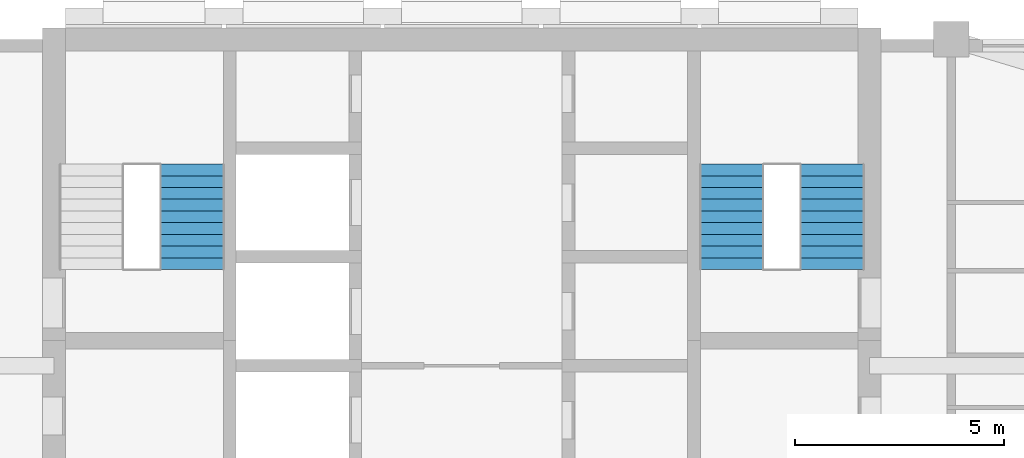
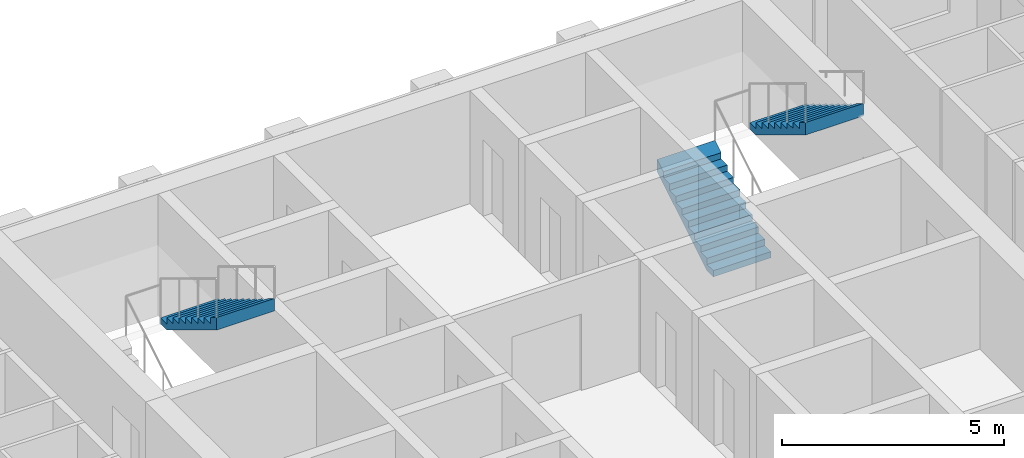
# One storey, part 12 of 14: 3 stair flights, 2 elements without a shape of their own.
"""IFC4 building model written with IfcOpenShell, lengths in metres."""

from ifc_helpers import new_model, si_unit, direction, frame, origin, place, context, subcontext, project, spatial, triangles, material, type_object, element, aggregate, save


model = new_model("IFC4")

# Units and contexts
model_context = context("Model", 3, precision=1e-05, world=origin(), true_north=direction((0.0, 1.0)))
body_context = subcontext(model_context, "Body", "Model", "MODEL_VIEW")
ifc_project = project(units=[si_unit("LENGTHUNIT", "METRE"), si_unit("AREAUNIT", "SQUARE_METRE"), si_unit("VOLUMEUNIT", "CUBIC_METRE"), si_unit("PLANEANGLEUNIT", "RADIAN"), si_unit("MASSUNIT", "GRAM", prefix="KILO")], contexts=[model_context])

# Site, building, storey
site_placement = place(None, origin())
site = spatial("IfcSite", under=ifc_project, at=site_placement, CompositionType="ELEMENT")
building_placement = place(site_placement, origin())
building = spatial("IfcBuilding", under=site, at=building_placement, Name="Ludao Terraces", CompositionType="ELEMENT")
storey_placement = place(building_placement, frame((0.0, 0.0, 113.5)))
storey = spatial("IfcBuildingStorey", under=building, at=storey_placement, Name="L31", CompositionType="ELEMENT", Elevation=113.5)

# Stair, stair flight
ifc_material = material(Name="Concrete C40", Category="concrete")
stair_type = type_object("IfcStairType", Name="INT Stair", PredefinedType="HALF_TURN_STAIR", material=ifc_material)
stair_1_placement = place(storey_placement, origin())
stair_1 = element("IfcStair", 1, at=stair_1_placement, inside=storey, type_object=stair_type, Name="EXIT STAIR 1", PredefinedType="HALF_TURN_STAIR")
stair_flight_type = type_object("IfcStairFlightType", Name="INT Stair flight", PredefinedType="STRAIGHT", material=ifc_material)
stair_flight_1_placement = place(storey_placement, frame((78.550048828125, 81.52001953125, 1.699951171875), z_axis=(0.0, 0.0, 1.0), x_axis=(0.0, -1.0, 0.0)))
stair_flight_1 = element("IfcStairFlight", 2, at=stair_flight_1_placement, type_object=stair_flight_type, Name="ST1 flight 2", NumberOfRisers=10, NumberOfTreads=9, PredefinedType="STRAIGHT", RiserHeight=0.17, TreadLength=0.28, context=body_context, shape_type="Tessellation", body=[
    triangles([(0.0, -0.75, 0.0), (0.0, -0.5, 0.0), (0.0, -0.25, 0.0), (0.0, 0.0, 0.0), (0.0, 0.25, 0.0), (0.0, 0.5, 0.0), (0.0, 0.75, 0.0), (0.0, -0.75, 0.169921875), (0.0, -0.5, 0.169921875), (0.0, -0.25, 0.169921875), (0.0, 0.0, 0.169921875), (0.0, 0.25, 0.169921875), (0.0, 0.5, 0.169921875), (0.0, 0.75, 0.169921875), (0.280029296875, -0.75, 0.169921875), (0.280029296875, -0.5, 0.169921875), (0.280029296875, -0.25, 0.169921875), (0.280029296875, 0.0, 0.169921875), (0.280029296875, 0.25, 0.169921875), (0.280029296875, 0.5, 0.169921875), (0.280029296875, 0.75, 0.169921875), (0.280029296875, -0.75, 0.340087890625), (0.280029296875, -0.5, 0.340087890625), (0.280029296875, -0.25, 0.340087890625), (0.280029296875, 0.0, 0.340087890625), (0.280029296875, 0.25, 0.340087890625), (0.280029296875, 0.5, 0.340087890625), (0.280029296875, 0.75, 0.340087890625), (0.56005859375, -0.75, 0.340087890625), (0.56005859375, -0.5, 0.340087890625), (0.56005859375, -0.25, 0.340087890625), (0.56005859375, 0.0, 0.340087890625), (0.56005859375, 0.25, 0.340087890625), (0.56005859375, 0.5, 0.340087890625), (0.56005859375, 0.75, 0.340087890625), (0.56005859375, -0.75, 0.510009765625), (0.56005859375, -0.5, 0.510009765625), (0.56005859375, -0.25, 0.510009765625), (0.56005859375, 0.0, 0.510009765625), (0.56005859375, 0.25, 0.510009765625), (0.56005859375, 0.5, 0.510009765625), (0.56005859375, 0.75, 0.510009765625), (0.840087890625, -0.75, 0.510009765625), (0.840087890625, -0.5, 0.510009765625), (0.840087890625, -0.25, 0.510009765625), (0.840087890625, 0.0, 0.510009765625), (0.840087890625, 0.25, 0.510009765625), (0.840087890625, 0.5, 0.510009765625), (0.840087890625, 0.75, 0.510009765625), (0.840087890625, -0.75, 0.679931640625), (0.840087890625, -0.5, 0.679931640625), (0.840087890625, -0.25, 0.679931640625), (0.840087890625, 0.0, 0.679931640625), (0.840087890625, 0.25, 0.679931640625), (0.840087890625, 0.5, 0.679931640625), (0.840087890625, 0.75, 0.679931640625), (1.1201171875, -0.75, 0.679931640625), (1.1201171875, -0.5, 0.679931640625), (1.1201171875, -0.25, 0.679931640625), (1.1201171875, 0.0, 0.679931640625), (1.1201171875, 0.25, 0.679931640625), (1.1201171875, 0.5, 0.679931640625), (1.1201171875, 0.75, 0.679931640625), (1.1201171875, -0.75, 0.85009765625), (1.1201171875, -0.5, 0.85009765625), (1.1201171875, -0.25, 0.85009765625), (1.1201171875, 0.0, 0.85009765625), (1.1201171875, 0.25, 0.85009765625), (1.1201171875, 0.5, 0.85009765625), (1.1201171875, 0.75, 0.85009765625), (1.39990234375, -0.75, 0.85009765625), (1.39990234375, -0.5, 0.85009765625), (1.39990234375, -0.25, 0.85009765625), (1.39990234375, 0.0, 0.85009765625), (1.39990234375, 0.25, 0.85009765625), (1.39990234375, 0.5, 0.85009765625), (1.39990234375, 0.75, 0.85009765625), (1.39990234375, -0.75, 1.02001953125), (1.39990234375, -0.5, 1.02001953125), (1.39990234375, -0.25, 1.02001953125), (1.39990234375, 0.0, 1.02001953125), (1.39990234375, 0.25, 1.02001953125), (1.39990234375, 0.5, 1.02001953125), (1.39990234375, 0.75, 1.02001953125), (1.679931640625, -0.75, 1.02001953125), (1.679931640625, -0.5, 1.02001953125), (1.679931640625, -0.25, 1.02001953125), (1.679931640625, 0.0, 1.02001953125), (1.679931640625, 0.25, 1.02001953125), (1.679931640625, 0.5, 1.02001953125), (1.679931640625, 0.75, 1.02001953125), (1.679931640625, -0.75, 1.18994140625), (1.679931640625, -0.5, 1.18994140625), (1.679931640625, -0.25, 1.18994140625), (1.679931640625, 0.0, 1.18994140625), (1.679931640625, 0.25, 1.18994140625), (1.679931640625, 0.5, 1.18994140625), (1.679931640625, 0.75, 1.18994140625), (1.9599609375, -0.75, 1.18994140625), (1.9599609375, -0.5, 1.18994140625), (1.9599609375, -0.25, 1.18994140625), (1.9599609375, 0.0, 1.18994140625), (1.9599609375, 0.25, 1.18994140625), (1.9599609375, 0.5, 1.18994140625), (1.9599609375, 0.75, 1.18994140625), (1.9599609375, -0.75, 1.360107421875), (1.9599609375, -0.5, 1.360107421875), (1.9599609375, -0.25, 1.360107421875), (1.9599609375, 0.0, 1.360107421875), (1.9599609375, 0.25, 1.360107421875), (1.9599609375, 0.5, 1.360107421875), (1.9599609375, 0.75, 1.360107421875), (2.239990234375, -0.75, 1.360107421875), (2.239990234375, -0.5, 1.360107421875), (2.239990234375, -0.25, 1.360107421875), (2.239990234375, 0.0, 1.360107421875), (2.239990234375, 0.25, 1.360107421875), (2.239990234375, 0.5, 1.360107421875), (2.239990234375, 0.75, 1.360107421875), (2.239990234375, -0.75, 1.530029296875), (2.239990234375, -0.5, 1.530029296875), (2.239990234375, -0.25, 1.530029296875), (2.239990234375, 0.0, 1.530029296875), (2.239990234375, 0.25, 1.530029296875), (2.239990234375, 0.5, 1.530029296875), (2.239990234375, 0.75, 1.530029296875), (2.52001953125, -0.75, 1.699951171875), (2.52001953125, -0.5, 1.699951171875), (2.52001953125, -0.25, 1.699951171875), (2.52001953125, 0.0, 1.699951171875), (2.52001953125, 0.25, 1.699951171875), (2.52001953125, 0.5, 1.699951171875), (2.52001953125, 0.75, 1.699951171875), (2.52001953125, -0.75, 1.354736328125), (2.52001953125, -0.5, 1.354736328125), (2.52001953125, -0.25, 1.354736328125), (2.52001953125, 0.0, 1.354736328125), (2.52001953125, 0.25, 1.354736328125), (2.52001953125, 0.5, 1.354736328125), (2.52001953125, 0.75, 1.354736328125), (0.288818359375, -0.75, 0.0), (0.288818359375, -0.5, 0.0), (0.288818359375, -0.25, 0.0), (0.288818359375, 0.0, 0.0), (0.288818359375, 0.25, 0.0), (0.288818359375, 0.5, 0.0), (0.288818359375, 0.75, 0.0)], [[1, 141, 134], [7, 140, 147], [134, 127, 120], [140, 126, 133], [134, 120, 113], [140, 119, 126], [134, 113, 106], [140, 112, 119], [134, 106, 99], [140, 105, 112], [99, 92, 85], [105, 91, 98], [134, 99, 85], [140, 91, 105], [85, 78, 71], [91, 77, 84], [134, 85, 71], [140, 77, 91], [71, 64, 57], [77, 63, 70], [134, 71, 57], [140, 63, 77], [57, 50, 43], [63, 49, 56], [134, 57, 43], [140, 49, 63], [43, 36, 29], [49, 35, 42], [134, 43, 29], [140, 35, 49], [29, 22, 15], [35, 21, 28], [134, 29, 15], [140, 21, 35], [1, 134, 15], [7, 21, 140], [15, 8, 1], [21, 7, 14], [1, 9, 2], [1, 8, 9], [2, 10, 3], [2, 9, 10], [3, 11, 4], [3, 10, 11], [4, 12, 5], [4, 11, 12], [5, 13, 6], [5, 12, 13], [6, 14, 7], [6, 13, 14], [8, 16, 9], [8, 15, 16], [9, 17, 10], [9, 16, 17], [10, 18, 11], [10, 17, 18], [11, 19, 12], [11, 18, 19], [12, 20, 13], [12, 19, 20], [13, 21, 14], [13, 20, 21], [15, 23, 16], [15, 22, 23], [16, 24, 17], [16, 23, 24], [17, 25, 18], [17, 24, 25], [18, 26, 19], [18, 25, 26], [19, 27, 20], [19, 26, 27], [20, 28, 21], [20, 27, 28], [22, 30, 23], [22, 29, 30], [23, 31, 24], [23, 30, 31], [24, 32, 25], [24, 31, 32], [25, 33, 26], [25, 32, 33], [26, 34, 27], [26, 33, 34], [27, 35, 28], [27, 34, 35], [29, 37, 30], [29, 36, 37], [30, 38, 31], [30, 37, 38], [31, 39, 32], [31, 38, 39], [32, 40, 33], [32, 39, 40], [33, 41, 34], [33, 40, 41], [34, 42, 35], [34, 41, 42], [36, 44, 37], [36, 43, 44], [37, 45, 38], [37, 44, 45], [38, 46, 39], [38, 45, 46], [39, 47, 40], [39, 46, 47], [40, 48, 41], [40, 47, 48], [41, 49, 42], [41, 48, 49], [43, 51, 44], [43, 50, 51], [44, 52, 45], [44, 51, 52], [45, 53, 46], [45, 52, 53], [46, 54, 47], [46, 53, 54], [47, 55, 48], [47, 54, 55], [48, 56, 49], [48, 55, 56], [50, 58, 51], [50, 57, 58], [51, 59, 52], [51, 58, 59], [52, 60, 53], [52, 59, 60], [53, 61, 54], [53, 60, 61], [54, 62, 55], [54, 61, 62], [55, 63, 56], [55, 62, 63], [57, 65, 58], [57, 64, 65], [58, 66, 59], [58, 65, 66], [59, 67, 60], [59, 66, 67], [60, 68, 61], [60, 67, 68], [61, 69, 62], [61, 68, 69], [62, 70, 63], [62, 69, 70], [64, 72, 65], [64, 71, 72], [65, 73, 66], [65, 72, 73], [66, 74, 67], [66, 73, 74], [67, 75, 68], [67, 74, 75], [68, 76, 69], [68, 75, 76], [69, 77, 70], [69, 76, 77], [71, 79, 72], [71, 78, 79], [72, 80, 73], [72, 79, 80], [73, 81, 74], [73, 80, 81], [74, 82, 75], [74, 81, 82], [75, 83, 76], [75, 82, 83], [76, 84, 77], [76, 83, 84], [78, 86, 79], [78, 85, 86], [79, 87, 80], [79, 86, 87], [80, 88, 81], [80, 87, 88], [81, 89, 82], [81, 88, 89], [82, 90, 83], [82, 89, 90], [83, 91, 84], [83, 90, 91], [85, 93, 86], [85, 92, 93], [86, 94, 87], [86, 93, 94], [87, 95, 88], [87, 94, 95], [88, 96, 89], [88, 95, 96], [89, 97, 90], [89, 96, 97], [90, 98, 91], [90, 97, 98], [92, 100, 93], [92, 99, 100], [93, 101, 94], [93, 100, 101], [94, 102, 95], [94, 101, 102], [95, 103, 96], [95, 102, 103], [96, 104, 97], [96, 103, 104], [97, 105, 98], [97, 104, 105], [99, 107, 100], [99, 106, 107], [100, 108, 101], [100, 107, 108], [101, 109, 102], [101, 108, 109], [102, 110, 103], [102, 109, 110], [103, 111, 104], [103, 110, 111], [104, 112, 105], [104, 111, 112], [106, 114, 107], [106, 113, 114], [107, 115, 108], [107, 114, 115], [108, 116, 109], [108, 115, 116], [109, 117, 110], [109, 116, 117], [110, 118, 111], [110, 117, 118], [111, 119, 112], [111, 118, 119], [113, 121, 114], [113, 120, 121], [114, 122, 115], [114, 121, 122], [115, 123, 116], [115, 122, 123], [116, 124, 117], [116, 123, 124], [117, 125, 118], [117, 124, 125], [118, 126, 119], [118, 125, 126], [120, 128, 121], [120, 127, 128], [121, 129, 122], [121, 128, 129], [122, 130, 123], [122, 129, 130], [123, 131, 124], [123, 130, 131], [124, 132, 125], [124, 131, 132], [125, 133, 126], [125, 132, 133], [127, 135, 128], [127, 134, 135], [128, 136, 129], [128, 135, 136], [129, 137, 130], [129, 136, 137], [130, 138, 131], [130, 137, 138], [131, 139, 132], [131, 138, 139], [132, 140, 133], [132, 139, 140], [134, 142, 135], [134, 141, 142], [135, 143, 136], [135, 142, 143], [136, 144, 137], [136, 143, 144], [137, 145, 138], [137, 144, 145], [138, 146, 139], [138, 145, 146], [139, 147, 140], [139, 146, 147], [141, 2, 142], [141, 1, 2], [142, 3, 143], [142, 2, 3], [143, 4, 144], [143, 3, 4], [144, 5, 145], [144, 4, 5], [145, 6, 146], [145, 5, 6], [146, 7, 147], [146, 6, 7]], closed=True),
])
aggregate(stair_1, [stair_flight_1])

# Stair, stair flights
stair_2_placement = place(storey_placement, origin())
stair_2 = element("IfcStair", 3, at=stair_2_placement, inside=storey, type_object=stair_type, Name="EXIT STAIR 2", PredefinedType="HALF_TURN_STAIR")
stair_flight_2_placement = place(storey_placement, frame((91.449951171875, 79.0, 0.0), z_axis=(0.0, 0.0, 1.0), x_axis=(0.0, 1.0, 0.0)))
stair_flight_2 = element("IfcStairFlight", 4, at=stair_flight_2_placement, type_object=stair_flight_type, Name="ST2 flight 1", NumberOfRisers=10, NumberOfTreads=9, PredefinedType="STRAIGHT", RiserHeight=0.17, TreadLength=0.28, context=body_context, shape_type="Tessellation", body=[
    triangles([(0.0, -0.75, 0.0), (0.0, -0.5, 0.0), (0.0, -0.25, 0.0), (0.0, 0.0, 0.0), (0.0, 0.25, 0.0), (0.0, 0.5, 0.0), (0.0, 0.75, 0.0), (0.0, -0.75, 0.169921875), (0.0, -0.5, 0.169921875), (0.0, -0.25, 0.169921875), (0.0, 0.0, 0.169921875), (0.0, 0.25, 0.169921875), (0.0, 0.5, 0.169921875), (0.0, 0.75, 0.169921875), (0.280029296875, -0.75, 0.169921875), (0.280029296875, -0.5, 0.169921875), (0.280029296875, -0.25, 0.169921875), (0.280029296875, 0.0, 0.169921875), (0.280029296875, 0.25, 0.169921875), (0.280029296875, 0.5, 0.169921875), (0.280029296875, 0.75, 0.169921875), (0.280029296875, -0.75, 0.340087890625), (0.280029296875, -0.5, 0.340087890625), (0.280029296875, -0.25, 0.340087890625), (0.280029296875, 0.0, 0.340087890625), (0.280029296875, 0.25, 0.340087890625), (0.280029296875, 0.5, 0.340087890625), (0.280029296875, 0.75, 0.340087890625), (0.56005859375, -0.75, 0.340087890625), (0.56005859375, -0.5, 0.340087890625), (0.56005859375, -0.25, 0.340087890625), (0.56005859375, 0.0, 0.340087890625), (0.56005859375, 0.25, 0.340087890625), (0.56005859375, 0.5, 0.340087890625), (0.56005859375, 0.75, 0.340087890625), (0.56005859375, -0.75, 0.510009765625), (0.56005859375, -0.5, 0.510009765625), (0.56005859375, -0.25, 0.510009765625), (0.56005859375, 0.0, 0.510009765625), (0.56005859375, 0.25, 0.510009765625), (0.56005859375, 0.5, 0.510009765625), (0.56005859375, 0.75, 0.510009765625), (0.840087890625, -0.75, 0.510009765625), (0.840087890625, -0.5, 0.510009765625), (0.840087890625, -0.25, 0.510009765625), (0.840087890625, 0.0, 0.510009765625), (0.840087890625, 0.25, 0.510009765625), (0.840087890625, 0.5, 0.510009765625), (0.840087890625, 0.75, 0.510009765625), (0.840087890625, -0.75, 0.679931640625), (0.840087890625, -0.5, 0.679931640625), (0.840087890625, -0.25, 0.679931640625), (0.840087890625, 0.0, 0.679931640625), (0.840087890625, 0.25, 0.679931640625), (0.840087890625, 0.5, 0.679931640625), (0.840087890625, 0.75, 0.679931640625), (1.1201171875, -0.75, 0.679931640625), (1.1201171875, -0.5, 0.679931640625), (1.1201171875, -0.25, 0.679931640625), (1.1201171875, 0.0, 0.679931640625), (1.1201171875, 0.25, 0.679931640625), (1.1201171875, 0.5, 0.679931640625), (1.1201171875, 0.75, 0.679931640625), (1.1201171875, -0.75, 0.85009765625), (1.1201171875, -0.5, 0.85009765625), (1.1201171875, -0.25, 0.85009765625), (1.1201171875, 0.0, 0.85009765625), (1.1201171875, 0.25, 0.85009765625), (1.1201171875, 0.5, 0.85009765625), (1.1201171875, 0.75, 0.85009765625), (1.39990234375, -0.75, 0.85009765625), (1.39990234375, -0.5, 0.85009765625), (1.39990234375, -0.25, 0.85009765625), (1.39990234375, 0.0, 0.85009765625), (1.39990234375, 0.25, 0.85009765625), (1.39990234375, 0.5, 0.85009765625), (1.39990234375, 0.75, 0.85009765625), (1.39990234375, -0.75, 1.02001953125), (1.39990234375, -0.5, 1.02001953125), (1.39990234375, -0.25, 1.02001953125), (1.39990234375, 0.0, 1.02001953125), (1.39990234375, 0.25, 1.02001953125), (1.39990234375, 0.5, 1.02001953125), (1.39990234375, 0.75, 1.02001953125), (1.679931640625, -0.75, 1.02001953125), (1.679931640625, -0.5, 1.02001953125), (1.679931640625, -0.25, 1.02001953125), (1.679931640625, 0.0, 1.02001953125), (1.679931640625, 0.25, 1.02001953125), (1.679931640625, 0.5, 1.02001953125), (1.679931640625, 0.75, 1.02001953125), (1.679931640625, -0.75, 1.18994140625), (1.679931640625, -0.5, 1.18994140625), (1.679931640625, -0.25, 1.18994140625), (1.679931640625, 0.0, 1.18994140625), (1.679931640625, 0.25, 1.18994140625), (1.679931640625, 0.5, 1.18994140625), (1.679931640625, 0.75, 1.18994140625), (1.9599609375, -0.75, 1.18994140625), (1.9599609375, -0.5, 1.18994140625), (1.9599609375, -0.25, 1.18994140625), (1.9599609375, 0.0, 1.18994140625), (1.9599609375, 0.25, 1.18994140625), (1.9599609375, 0.5, 1.18994140625), (1.9599609375, 0.75, 1.18994140625), (1.9599609375, -0.75, 1.360107421875), (1.9599609375, -0.5, 1.360107421875), (1.9599609375, -0.25, 1.360107421875), (1.9599609375, 0.0, 1.360107421875), (1.9599609375, 0.25, 1.360107421875), (1.9599609375, 0.5, 1.360107421875), (1.9599609375, 0.75, 1.360107421875), (2.239990234375, -0.75, 1.360107421875), (2.239990234375, -0.5, 1.360107421875), (2.239990234375, -0.25, 1.360107421875), (2.239990234375, 0.0, 1.360107421875), (2.239990234375, 0.25, 1.360107421875), (2.239990234375, 0.5, 1.360107421875), (2.239990234375, 0.75, 1.360107421875), (2.239990234375, -0.75, 1.530029296875), (2.239990234375, -0.5, 1.530029296875), (2.239990234375, -0.25, 1.530029296875), (2.239990234375, 0.0, 1.530029296875), (2.239990234375, 0.25, 1.530029296875), (2.239990234375, 0.5, 1.530029296875), (2.239990234375, 0.75, 1.530029296875), (2.52001953125, -0.75, 1.699951171875), (2.52001953125, -0.5, 1.699951171875), (2.52001953125, -0.25, 1.699951171875), (2.52001953125, 0.0, 1.699951171875), (2.52001953125, 0.25, 1.699951171875), (2.52001953125, 0.5, 1.699951171875), (2.52001953125, 0.75, 1.699951171875), (2.52001953125, -0.75, 1.354736328125), (2.52001953125, -0.5, 1.354736328125), (2.52001953125, -0.25, 1.354736328125), (2.52001953125, 0.0, 1.354736328125), (2.52001953125, 0.25, 1.354736328125), (2.52001953125, 0.5, 1.354736328125), (2.52001953125, 0.75, 1.354736328125), (0.288818359375, -0.75, 0.0), (0.288818359375, -0.5, 0.0), (0.288818359375, -0.25, 0.0), (0.288818359375, 0.0, 0.0), (0.288818359375, 0.25, 0.0), (0.288818359375, 0.5, 0.0), (0.288818359375, 0.75, 0.0)], [[1, 141, 134], [7, 140, 147], [134, 127, 120], [140, 126, 133], [134, 120, 113], [140, 119, 126], [134, 113, 106], [140, 112, 119], [134, 106, 99], [140, 105, 112], [99, 92, 85], [105, 91, 98], [134, 99, 85], [140, 91, 105], [85, 78, 71], [91, 77, 84], [134, 85, 71], [140, 77, 91], [71, 64, 57], [77, 63, 70], [134, 71, 57], [140, 63, 77], [57, 50, 43], [63, 49, 56], [134, 57, 43], [140, 49, 63], [43, 36, 29], [49, 35, 42], [134, 43, 29], [140, 35, 49], [29, 22, 15], [35, 21, 28], [134, 29, 15], [140, 21, 35], [1, 134, 15], [7, 21, 140], [15, 8, 1], [21, 7, 14], [1, 9, 2], [1, 8, 9], [2, 10, 3], [2, 9, 10], [3, 11, 4], [3, 10, 11], [4, 12, 5], [4, 11, 12], [5, 13, 6], [5, 12, 13], [6, 14, 7], [6, 13, 14], [8, 16, 9], [8, 15, 16], [9, 17, 10], [9, 16, 17], [10, 18, 11], [10, 17, 18], [11, 19, 12], [11, 18, 19], [12, 20, 13], [12, 19, 20], [13, 21, 14], [13, 20, 21], [15, 23, 16], [15, 22, 23], [16, 24, 17], [16, 23, 24], [17, 25, 18], [17, 24, 25], [18, 26, 19], [18, 25, 26], [19, 27, 20], [19, 26, 27], [20, 28, 21], [20, 27, 28], [22, 30, 23], [22, 29, 30], [23, 31, 24], [23, 30, 31], [24, 32, 25], [24, 31, 32], [25, 33, 26], [25, 32, 33], [26, 34, 27], [26, 33, 34], [27, 35, 28], [27, 34, 35], [29, 37, 30], [29, 36, 37], [30, 38, 31], [30, 37, 38], [31, 39, 32], [31, 38, 39], [32, 40, 33], [32, 39, 40], [33, 41, 34], [33, 40, 41], [34, 42, 35], [34, 41, 42], [36, 44, 37], [36, 43, 44], [37, 45, 38], [37, 44, 45], [38, 46, 39], [38, 45, 46], [39, 47, 40], [39, 46, 47], [40, 48, 41], [40, 47, 48], [41, 49, 42], [41, 48, 49], [43, 51, 44], [43, 50, 51], [44, 52, 45], [44, 51, 52], [45, 53, 46], [45, 52, 53], [46, 54, 47], [46, 53, 54], [47, 55, 48], [47, 54, 55], [48, 56, 49], [48, 55, 56], [50, 58, 51], [50, 57, 58], [51, 59, 52], [51, 58, 59], [52, 60, 53], [52, 59, 60], [53, 61, 54], [53, 60, 61], [54, 62, 55], [54, 61, 62], [55, 63, 56], [55, 62, 63], [57, 65, 58], [57, 64, 65], [58, 66, 59], [58, 65, 66], [59, 67, 60], [59, 66, 67], [60, 68, 61], [60, 67, 68], [61, 69, 62], [61, 68, 69], [62, 70, 63], [62, 69, 70], [64, 72, 65], [64, 71, 72], [65, 73, 66], [65, 72, 73], [66, 74, 67], [66, 73, 74], [67, 75, 68], [67, 74, 75], [68, 76, 69], [68, 75, 76], [69, 77, 70], [69, 76, 77], [71, 79, 72], [71, 78, 79], [72, 80, 73], [72, 79, 80], [73, 81, 74], [73, 80, 81], [74, 82, 75], [74, 81, 82], [75, 83, 76], [75, 82, 83], [76, 84, 77], [76, 83, 84], [78, 86, 79], [78, 85, 86], [79, 87, 80], [79, 86, 87], [80, 88, 81], [80, 87, 88], [81, 89, 82], [81, 88, 89], [82, 90, 83], [82, 89, 90], [83, 91, 84], [83, 90, 91], [85, 93, 86], [85, 92, 93], [86, 94, 87], [86, 93, 94], [87, 95, 88], [87, 94, 95], [88, 96, 89], [88, 95, 96], [89, 97, 90], [89, 96, 97], [90, 98, 91], [90, 97, 98], [92, 100, 93], [92, 99, 100], [93, 101, 94], [93, 100, 101], [94, 102, 95], [94, 101, 102], [95, 103, 96], [95, 102, 103], [96, 104, 97], [96, 103, 104], [97, 105, 98], [97, 104, 105], [99, 107, 100], [99, 106, 107], [100, 108, 101], [100, 107, 108], [101, 109, 102], [101, 108, 109], [102, 110, 103], [102, 109, 110], [103, 111, 104], [103, 110, 111], [104, 112, 105], [104, 111, 112], [106, 114, 107], [106, 113, 114], [107, 115, 108], [107, 114, 115], [108, 116, 109], [108, 115, 116], [109, 117, 110], [109, 116, 117], [110, 118, 111], [110, 117, 118], [111, 119, 112], [111, 118, 119], [113, 121, 114], [113, 120, 121], [114, 122, 115], [114, 121, 122], [115, 123, 116], [115, 122, 123], [116, 124, 117], [116, 123, 124], [117, 125, 118], [117, 124, 125], [118, 126, 119], [118, 125, 126], [120, 128, 121], [120, 127, 128], [121, 129, 122], [121, 128, 129], [122, 130, 123], [122, 129, 130], [123, 131, 124], [123, 130, 131], [124, 132, 125], [124, 131, 132], [125, 133, 126], [125, 132, 133], [127, 135, 128], [127, 134, 135], [128, 136, 129], [128, 135, 136], [129, 137, 130], [129, 136, 137], [130, 138, 131], [130, 137, 138], [131, 139, 132], [131, 138, 139], [132, 140, 133], [132, 139, 140], [134, 142, 135], [134, 141, 142], [135, 143, 136], [135, 142, 143], [136, 144, 137], [136, 143, 144], [137, 145, 138], [137, 144, 145], [138, 146, 139], [138, 145, 146], [139, 147, 140], [139, 146, 147], [141, 2, 142], [141, 1, 2], [142, 3, 143], [142, 2, 3], [143, 4, 144], [143, 3, 4], [144, 5, 145], [144, 4, 5], [145, 6, 146], [145, 5, 6], [146, 7, 147], [146, 6, 7]], closed=True),
])
stair_flight_3_placement = place(storey_placement, frame((93.85009765625, 81.52001953125, 1.699951171875), z_axis=(0.0, 0.0, 1.0), x_axis=(0.0, -1.0, 0.0)))
stair_flight_3 = element("IfcStairFlight", 5, at=stair_flight_3_placement, type_object=stair_flight_type, Name="ST2 flight 2", NumberOfRisers=10, NumberOfTreads=9, PredefinedType="STRAIGHT", RiserHeight=0.17, TreadLength=0.28, context=body_context, shape_type="Tessellation", body=[
    triangles([(0.0, -0.75, 0.0), (0.0, -0.5, 0.0), (0.0, -0.25, 0.0), (0.0, 0.0, 0.0), (0.0, 0.25, 0.0), (0.0, 0.5, 0.0), (0.0, 0.75, 0.0), (0.0, -0.75, 0.169921875), (0.0, -0.5, 0.169921875), (0.0, -0.25, 0.169921875), (0.0, 0.0, 0.169921875), (0.0, 0.25, 0.169921875), (0.0, 0.5, 0.169921875), (0.0, 0.75, 0.169921875), (0.280029296875, -0.75, 0.169921875), (0.280029296875, -0.5, 0.169921875), (0.280029296875, -0.25, 0.169921875), (0.280029296875, 0.0, 0.169921875), (0.280029296875, 0.25, 0.169921875), (0.280029296875, 0.5, 0.169921875), (0.280029296875, 0.75, 0.169921875), (0.280029296875, -0.75, 0.340087890625), (0.280029296875, -0.5, 0.340087890625), (0.280029296875, -0.25, 0.340087890625), (0.280029296875, 0.0, 0.340087890625), (0.280029296875, 0.25, 0.340087890625), (0.280029296875, 0.5, 0.340087890625), (0.280029296875, 0.75, 0.340087890625), (0.56005859375, -0.75, 0.340087890625), (0.56005859375, -0.5, 0.340087890625), (0.56005859375, -0.25, 0.340087890625), (0.56005859375, 0.0, 0.340087890625), (0.56005859375, 0.25, 0.340087890625), (0.56005859375, 0.5, 0.340087890625), (0.56005859375, 0.75, 0.340087890625), (0.56005859375, -0.75, 0.510009765625), (0.56005859375, -0.5, 0.510009765625), (0.56005859375, -0.25, 0.510009765625), (0.56005859375, 0.0, 0.510009765625), (0.56005859375, 0.25, 0.510009765625), (0.56005859375, 0.5, 0.510009765625), (0.56005859375, 0.75, 0.510009765625), (0.840087890625, -0.75, 0.510009765625), (0.840087890625, -0.5, 0.510009765625), (0.840087890625, -0.25, 0.510009765625), (0.840087890625, 0.0, 0.510009765625), (0.840087890625, 0.25, 0.510009765625), (0.840087890625, 0.5, 0.510009765625), (0.840087890625, 0.75, 0.510009765625), (0.840087890625, -0.75, 0.679931640625), (0.840087890625, -0.5, 0.679931640625), (0.840087890625, -0.25, 0.679931640625), (0.840087890625, 0.0, 0.679931640625), (0.840087890625, 0.25, 0.679931640625), (0.840087890625, 0.5, 0.679931640625), (0.840087890625, 0.75, 0.679931640625), (1.1201171875, -0.75, 0.679931640625), (1.1201171875, -0.5, 0.679931640625), (1.1201171875, -0.25, 0.679931640625), (1.1201171875, 0.0, 0.679931640625), (1.1201171875, 0.25, 0.679931640625), (1.1201171875, 0.5, 0.679931640625), (1.1201171875, 0.75, 0.679931640625), (1.1201171875, -0.75, 0.85009765625), (1.1201171875, -0.5, 0.85009765625), (1.1201171875, -0.25, 0.85009765625), (1.1201171875, 0.0, 0.85009765625), (1.1201171875, 0.25, 0.85009765625), (1.1201171875, 0.5, 0.85009765625), (1.1201171875, 0.75, 0.85009765625), (1.39990234375, -0.75, 0.85009765625), (1.39990234375, -0.5, 0.85009765625), (1.39990234375, -0.25, 0.85009765625), (1.39990234375, 0.0, 0.85009765625), (1.39990234375, 0.25, 0.85009765625), (1.39990234375, 0.5, 0.85009765625), (1.39990234375, 0.75, 0.85009765625), (1.39990234375, -0.75, 1.02001953125), (1.39990234375, -0.5, 1.02001953125), (1.39990234375, -0.25, 1.02001953125), (1.39990234375, 0.0, 1.02001953125), (1.39990234375, 0.25, 1.02001953125), (1.39990234375, 0.5, 1.02001953125), (1.39990234375, 0.75, 1.02001953125), (1.679931640625, -0.75, 1.02001953125), (1.679931640625, -0.5, 1.02001953125), (1.679931640625, -0.25, 1.02001953125), (1.679931640625, 0.0, 1.02001953125), (1.679931640625, 0.25, 1.02001953125), (1.679931640625, 0.5, 1.02001953125), (1.679931640625, 0.75, 1.02001953125), (1.679931640625, -0.75, 1.18994140625), (1.679931640625, -0.5, 1.18994140625), (1.679931640625, -0.25, 1.18994140625), (1.679931640625, 0.0, 1.18994140625), (1.679931640625, 0.25, 1.18994140625), (1.679931640625, 0.5, 1.18994140625), (1.679931640625, 0.75, 1.18994140625), (1.9599609375, -0.75, 1.18994140625), (1.9599609375, -0.5, 1.18994140625), (1.9599609375, -0.25, 1.18994140625), (1.9599609375, 0.0, 1.18994140625), (1.9599609375, 0.25, 1.18994140625), (1.9599609375, 0.5, 1.18994140625), (1.9599609375, 0.75, 1.18994140625), (1.9599609375, -0.75, 1.360107421875), (1.9599609375, -0.5, 1.360107421875), (1.9599609375, -0.25, 1.360107421875), (1.9599609375, 0.0, 1.360107421875), (1.9599609375, 0.25, 1.360107421875), (1.9599609375, 0.5, 1.360107421875), (1.9599609375, 0.75, 1.360107421875), (2.239990234375, -0.75, 1.360107421875), (2.239990234375, -0.5, 1.360107421875), (2.239990234375, -0.25, 1.360107421875), (2.239990234375, 0.0, 1.360107421875), (2.239990234375, 0.25, 1.360107421875), (2.239990234375, 0.5, 1.360107421875), (2.239990234375, 0.75, 1.360107421875), (2.239990234375, -0.75, 1.530029296875), (2.239990234375, -0.5, 1.530029296875), (2.239990234375, -0.25, 1.530029296875), (2.239990234375, 0.0, 1.530029296875), (2.239990234375, 0.25, 1.530029296875), (2.239990234375, 0.5, 1.530029296875), (2.239990234375, 0.75, 1.530029296875), (2.52001953125, -0.75, 1.699951171875), (2.52001953125, -0.5, 1.699951171875), (2.52001953125, -0.25, 1.699951171875), (2.52001953125, 0.0, 1.699951171875), (2.52001953125, 0.25, 1.699951171875), (2.52001953125, 0.5, 1.699951171875), (2.52001953125, 0.75, 1.699951171875), (2.52001953125, -0.75, 1.354736328125), (2.52001953125, -0.5, 1.354736328125), (2.52001953125, -0.25, 1.354736328125), (2.52001953125, 0.0, 1.354736328125), (2.52001953125, 0.25, 1.354736328125), (2.52001953125, 0.5, 1.354736328125), (2.52001953125, 0.75, 1.354736328125), (0.288818359375, -0.75, 0.0), (0.288818359375, -0.5, 0.0), (0.288818359375, -0.25, 0.0), (0.288818359375, 0.0, 0.0), (0.288818359375, 0.25, 0.0), (0.288818359375, 0.5, 0.0), (0.288818359375, 0.75, 0.0)], [[1, 141, 134], [7, 140, 147], [134, 127, 120], [140, 126, 133], [134, 120, 113], [140, 119, 126], [134, 113, 106], [140, 112, 119], [134, 106, 99], [140, 105, 112], [99, 92, 85], [105, 91, 98], [134, 99, 85], [140, 91, 105], [85, 78, 71], [91, 77, 84], [134, 85, 71], [140, 77, 91], [71, 64, 57], [77, 63, 70], [134, 71, 57], [140, 63, 77], [57, 50, 43], [63, 49, 56], [134, 57, 43], [140, 49, 63], [43, 36, 29], [49, 35, 42], [134, 43, 29], [140, 35, 49], [29, 22, 15], [35, 21, 28], [134, 29, 15], [140, 21, 35], [1, 134, 15], [7, 21, 140], [15, 8, 1], [21, 7, 14], [1, 9, 2], [1, 8, 9], [2, 10, 3], [2, 9, 10], [3, 11, 4], [3, 10, 11], [4, 12, 5], [4, 11, 12], [5, 13, 6], [5, 12, 13], [6, 14, 7], [6, 13, 14], [8, 16, 9], [8, 15, 16], [9, 17, 10], [9, 16, 17], [10, 18, 11], [10, 17, 18], [11, 19, 12], [11, 18, 19], [12, 20, 13], [12, 19, 20], [13, 21, 14], [13, 20, 21], [15, 23, 16], [15, 22, 23], [16, 24, 17], [16, 23, 24], [17, 25, 18], [17, 24, 25], [18, 26, 19], [18, 25, 26], [19, 27, 20], [19, 26, 27], [20, 28, 21], [20, 27, 28], [22, 30, 23], [22, 29, 30], [23, 31, 24], [23, 30, 31], [24, 32, 25], [24, 31, 32], [25, 33, 26], [25, 32, 33], [26, 34, 27], [26, 33, 34], [27, 35, 28], [27, 34, 35], [29, 37, 30], [29, 36, 37], [30, 38, 31], [30, 37, 38], [31, 39, 32], [31, 38, 39], [32, 40, 33], [32, 39, 40], [33, 41, 34], [33, 40, 41], [34, 42, 35], [34, 41, 42], [36, 44, 37], [36, 43, 44], [37, 45, 38], [37, 44, 45], [38, 46, 39], [38, 45, 46], [39, 47, 40], [39, 46, 47], [40, 48, 41], [40, 47, 48], [41, 49, 42], [41, 48, 49], [43, 51, 44], [43, 50, 51], [44, 52, 45], [44, 51, 52], [45, 53, 46], [45, 52, 53], [46, 54, 47], [46, 53, 54], [47, 55, 48], [47, 54, 55], [48, 56, 49], [48, 55, 56], [50, 58, 51], [50, 57, 58], [51, 59, 52], [51, 58, 59], [52, 60, 53], [52, 59, 60], [53, 61, 54], [53, 60, 61], [54, 62, 55], [54, 61, 62], [55, 63, 56], [55, 62, 63], [57, 65, 58], [57, 64, 65], [58, 66, 59], [58, 65, 66], [59, 67, 60], [59, 66, 67], [60, 68, 61], [60, 67, 68], [61, 69, 62], [61, 68, 69], [62, 70, 63], [62, 69, 70], [64, 72, 65], [64, 71, 72], [65, 73, 66], [65, 72, 73], [66, 74, 67], [66, 73, 74], [67, 75, 68], [67, 74, 75], [68, 76, 69], [68, 75, 76], [69, 77, 70], [69, 76, 77], [71, 79, 72], [71, 78, 79], [72, 80, 73], [72, 79, 80], [73, 81, 74], [73, 80, 81], [74, 82, 75], [74, 81, 82], [75, 83, 76], [75, 82, 83], [76, 84, 77], [76, 83, 84], [78, 86, 79], [78, 85, 86], [79, 87, 80], [79, 86, 87], [80, 88, 81], [80, 87, 88], [81, 89, 82], [81, 88, 89], [82, 90, 83], [82, 89, 90], [83, 91, 84], [83, 90, 91], [85, 93, 86], [85, 92, 93], [86, 94, 87], [86, 93, 94], [87, 95, 88], [87, 94, 95], [88, 96, 89], [88, 95, 96], [89, 97, 90], [89, 96, 97], [90, 98, 91], [90, 97, 98], [92, 100, 93], [92, 99, 100], [93, 101, 94], [93, 100, 101], [94, 102, 95], [94, 101, 102], [95, 103, 96], [95, 102, 103], [96, 104, 97], [96, 103, 104], [97, 105, 98], [97, 104, 105], [99, 107, 100], [99, 106, 107], [100, 108, 101], [100, 107, 108], [101, 109, 102], [101, 108, 109], [102, 110, 103], [102, 109, 110], [103, 111, 104], [103, 110, 111], [104, 112, 105], [104, 111, 112], [106, 114, 107], [106, 113, 114], [107, 115, 108], [107, 114, 115], [108, 116, 109], [108, 115, 116], [109, 117, 110], [109, 116, 117], [110, 118, 111], [110, 117, 118], [111, 119, 112], [111, 118, 119], [113, 121, 114], [113, 120, 121], [114, 122, 115], [114, 121, 122], [115, 123, 116], [115, 122, 123], [116, 124, 117], [116, 123, 124], [117, 125, 118], [117, 124, 125], [118, 126, 119], [118, 125, 126], [120, 128, 121], [120, 127, 128], [121, 129, 122], [121, 128, 129], [122, 130, 123], [122, 129, 130], [123, 131, 124], [123, 130, 131], [124, 132, 125], [124, 131, 132], [125, 133, 126], [125, 132, 133], [127, 135, 128], [127, 134, 135], [128, 136, 129], [128, 135, 136], [129, 137, 130], [129, 136, 137], [130, 138, 131], [130, 137, 138], [131, 139, 132], [131, 138, 139], [132, 140, 133], [132, 139, 140], [134, 142, 135], [134, 141, 142], [135, 143, 136], [135, 142, 143], [136, 144, 137], [136, 143, 144], [137, 145, 138], [137, 144, 145], [138, 146, 139], [138, 145, 146], [139, 147, 140], [139, 146, 147], [141, 2, 142], [141, 1, 2], [142, 3, 143], [142, 2, 3], [143, 4, 144], [143, 3, 4], [144, 5, 145], [144, 4, 5], [145, 6, 146], [145, 5, 6], [146, 7, 147], [146, 6, 7]], closed=True),
])
aggregate(stair_2, [stair_flight_2, stair_flight_3])

save(model, "model.ifc")
